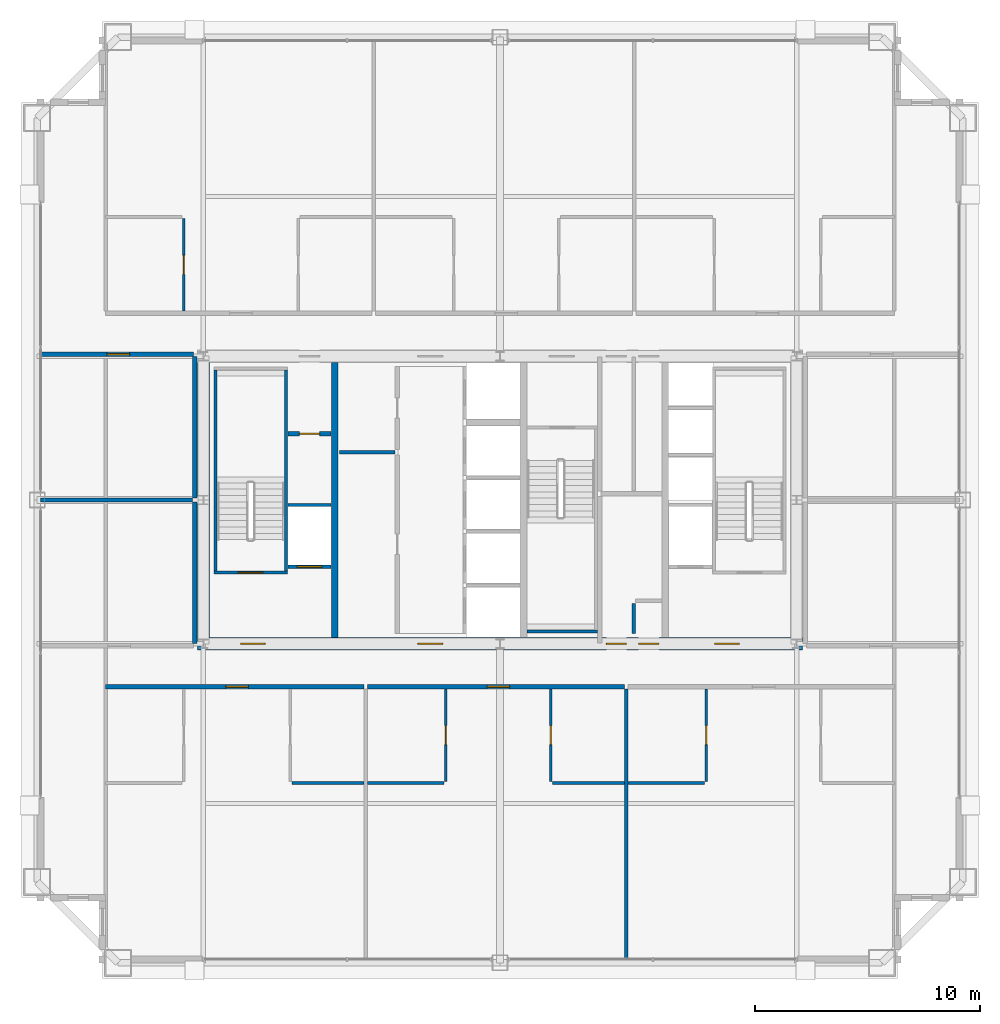
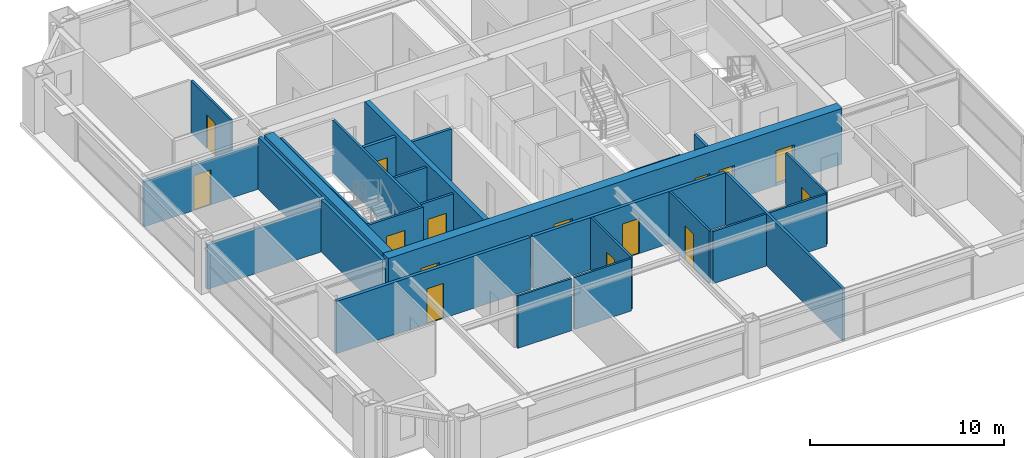
# One storey, part 32 of 36: 27 walls, 15 doors, 15 openings.
"""IFC4 building model written with IfcOpenShell, lengths in metres."""

from ifc_helpers import new_model, si_unit, direction, frame, frame_2d, origin, place, context, subcontext, project, spatial, rectangle, extrude, source, transform, mapped, material, layer, layer_set, type_object, element, fill, save


model = new_model("IFC4")

# Units and contexts
model_context = context("Model", 3, precision=1e-05, world=origin(), true_north=direction((0.0, 1.0)))
body_context = subcontext(model_context, "Body", "Model", "MODEL_VIEW")
ifc_project = project(units=[si_unit("LENGTHUNIT", "METRE"), si_unit("AREAUNIT", "SQUARE_METRE"), si_unit("VOLUMEUNIT", "CUBIC_METRE"), si_unit("PLANEANGLEUNIT", "RADIAN"), si_unit("MASSUNIT", "GRAM", prefix="KILO"), si_unit("THERMODYNAMICTEMPERATUREUNIT", "KELVIN"), si_unit("POWERUNIT", "WATT")], contexts=[model_context])

# Site, building, storey
site_placement = place(None, origin())
site = spatial("IfcSite", under=ifc_project, at=site_placement, CompositionType="ELEMENT")
building_placement = place(site_placement, origin())
building = spatial("IfcBuilding", under=site, at=building_placement, Name="Yuzanri Waterfront Tower", CompositionType="ELEMENT")
storey_placement = place(building_placement, frame((0.0, 0.0, 238.10009765625)))
storey = spatial("IfcBuildingStorey", under=building, at=storey_placement, Name="L63", CompositionType="ELEMENT", Elevation=238.10009765625)

# Wall, opening, door
ifc_material_1 = material(Name="Moisture-Resistant Gypsum Stud Wall", Category="gypsum")
ifc_layer_1 = layer(ifc_material_1, 0.1201171875)
ifc_layer_set_1 = layer_set([ifc_layer_1], Name="Moisture-Resistant Gypsum Stud Wall")
wall_type_1 = type_object("IfcWallType", Name="Bathroom and Kitchen Wet Partition 120", PredefinedType="PARTITIONING", material=ifc_layer_set_1)
wall_1_placement = place(storey_placement, frame((34.590087890625, 13.280029296875, 0.0), z_axis=(0.0, 0.0, 1.0), x_axis=(0.0, 1.0, 0.0)))
wall_1 = element("IfcWall", 1, at=wall_1_placement, inside=storey, type_object=wall_type_1, Name="L63 Partition UW-L63-RS2-SUB-1-E", PredefinedType="PARTITIONING", context=body_context, shape_type="SweptSolid", body=[
    extrude(rectangle(XDim=4.10986328125, YDim=0.1201171875, at=frame_2d((2.054931640625, 0.0))), origin(), (0.0, 0.0, 1.0), 3.27978515625),
])
opening_1_placement = place(wall_1_placement, frame((1.6298828125, 0.0, 0.0)))
opening_1 = element("IfcOpeningElement", 2, at=opening_1_placement, cuts=wall_1, Name="Opening ID-0850", PredefinedType="OPENING", context=body_context, shape_type="SweptSolid", body=[
    extrude(rectangle(XDim=0.85009765625, YDim=2.10009765625, at=frame_2d((0.425048828125, 1.050048828125))), frame((0.0, 0.074951171875, 0.0), z_axis=(0.0, -1.0, 0.0), x_axis=(1.0, 0.0, 0.0)), (0.0, 0.0, 1.0), 0.14990234375),
])
ifc_material_2 = material(Name="Moisture-Resistant Lacquered Timber", Category="wood")
door_type_1 = type_object("IfcDoorType", Name="En-Suite Bathroom and Kitchen Swing Door 850x2100", OperationType="NOTDEFINED", PredefinedType="DOOR", material=ifc_material_2)
shared_shape_1 = source(origin(), body_context, "Body", "SweptSolid", [
    extrude(rectangle(XDim=0.85009765625, YDim=2.10009765625, at=frame_2d((0.425048828125, 1.050048828125))), frame((0.0, 0.02490234375, 0.0), z_axis=(0.0, -1.0, 0.0), x_axis=(1.0, 0.0, 0.0)), (0.0, 0.0, 1.0), 0.050048828125),
])
door_1_placement = place(opening_1_placement, origin())
door_1 = element("IfcDoor", 3, at=door_1_placement, inside=storey, type_object=door_type_1, Name="L63 Suite Interior Room Door", OperationType="SINGLE_SWING_RIGHT", OverallHeight=2.10009765625, OverallWidth=0.85009765625, PredefinedType="DOOR", context=body_context, shape_type="MappedRepresentation", body=[
    mapped(shared_shape_1, transform((0.0, 0.0, 0.0), scale=1.0)),
])
fill(opening_1, door_1)

wall_2_placement = place(storey_placement, frame((39.259033203125, 13.280029296875, 0.0), z_axis=(0.0, 0.0, 1.0), x_axis=(0.0, 1.0, 0.0)))
wall_2 = element("IfcWall", 4, at=wall_2_placement, inside=storey, type_object=wall_type_1, Name="L63 Partition UW-L63-RS2-SUB-2-W", PredefinedType="PARTITIONING", context=body_context, shape_type="SweptSolid", body=[
    extrude(rectangle(XDim=4.10986328125, YDim=0.1201171875, at=frame_2d((2.054931640625, 0.0))), origin(), (0.0, 0.0, 1.0), 3.27978515625),
])
opening_2_placement = place(wall_2_placement, frame((1.6298828125, 0.0, 0.0)))
opening_2 = element("IfcOpeningElement", 5, at=opening_2_placement, cuts=wall_2, Name="Opening ID-0850", PredefinedType="OPENING", context=body_context, shape_type="SweptSolid", body=[
    extrude(rectangle(XDim=0.85009765625, YDim=2.10009765625, at=frame_2d((0.425048828125, 1.050048828125))), frame((0.0, 0.074951171875, 0.0), z_axis=(0.0, -1.0, 0.0), x_axis=(1.0, 0.0, 0.0)), (0.0, 0.0, 1.0), 0.14990234375),
])
door_2_placement = place(opening_2_placement, origin())
door_2 = element("IfcDoor", 6, at=door_2_placement, inside=storey, type_object=door_type_1, Name="L63 Suite Interior Room Door", OperationType="SINGLE_SWING_LEFT", OverallHeight=2.10009765625, OverallWidth=0.85009765625, PredefinedType="DOOR", context=body_context, shape_type="MappedRepresentation", body=[
    mapped(shared_shape_1, transform((0.0, 0.0, 0.0), scale=1.0)),
])
fill(opening_2, door_2)

wall_3_placement = place(storey_placement, frame((46.178955078125, 13.280029296875, 0.0), z_axis=(0.0, 0.0, 1.0), x_axis=(0.0, 1.0, 0.0)))
wall_3 = element("IfcWall", 7, at=wall_3_placement, inside=storey, type_object=wall_type_1, Name="L63 Partition UW-L63-RS3-SUB-1-E", PredefinedType="PARTITIONING", context=body_context, shape_type="SweptSolid", body=[
    extrude(rectangle(XDim=4.10986328125, YDim=0.1201171875, at=frame_2d((2.054931640625, 0.0))), origin(), (0.0, 0.0, 1.0), 3.27978515625),
])
opening_3_placement = place(wall_3_placement, frame((1.6298828125, 0.0, 0.0)))
opening_3 = element("IfcOpeningElement", 8, at=opening_3_placement, cuts=wall_3, Name="Opening ID-0850", PredefinedType="OPENING", context=body_context, shape_type="SweptSolid", body=[
    extrude(rectangle(XDim=0.85009765625, YDim=2.10009765625, at=frame_2d((0.425048828125, 1.050048828125))), frame((0.0, 0.074951171875, 0.0), z_axis=(0.0, -1.0, 0.0), x_axis=(1.0, 0.0, 0.0)), (0.0, 0.0, 1.0), 0.14990234375),
])
door_3_placement = place(opening_3_placement, origin())
door_3 = element("IfcDoor", 9, at=door_3_placement, inside=storey, type_object=door_type_1, Name="L63 Suite Interior Room Door", OperationType="SINGLE_SWING_LEFT", OverallHeight=2.10009765625, OverallWidth=0.85009765625, PredefinedType="DOOR", context=body_context, shape_type="MappedRepresentation", body=[
    mapped(shared_shape_1, transform((0.0, 0.0, 0.0), scale=1.0)),
])
fill(opening_3, door_3)

wall_4_placement = place(storey_placement, frame((22.919921875, 34.2099609375, 0.0), z_axis=(0.0, 0.0, 1.0), x_axis=(0.0, 1.0, 0.0)))
wall_4 = element("IfcWall", 10, at=wall_4_placement, inside=storey, type_object=wall_type_1, Name="L63 Partition UW-L63-RN1-SUB-1-E", PredefinedType="PARTITIONING", context=body_context, shape_type="SweptSolid", body=[
    extrude(rectangle(XDim=4.110107421875, YDim=0.1201171875, at=frame_2d((2.05517578125, 0.0))), origin(), (0.0, 0.0, 1.0), 3.27978515625),
])
opening_4_placement = place(wall_4_placement, frame((1.6298828125, 0.0, 0.0)))
opening_4 = element("IfcOpeningElement", 11, at=opening_4_placement, cuts=wall_4, Name="Opening ID-0850", PredefinedType="OPENING", context=body_context, shape_type="SweptSolid", body=[
    extrude(rectangle(XDim=0.85009765625, YDim=2.10009765625, at=frame_2d((0.425048828125, 1.050048828125))), frame((0.0, 0.074951171875, 0.0), z_axis=(0.0, -1.0, 0.0), x_axis=(1.0, 0.0, 0.0)), (0.0, 0.0, 1.0), 0.14990234375),
])
door_4_placement = place(opening_4_placement, origin())
door_4 = element("IfcDoor", 12, at=door_4_placement, inside=storey, type_object=door_type_1, Name="L63 Suite Interior Room Door", OperationType="SINGLE_SWING_RIGHT", OverallHeight=2.10009765625, OverallWidth=0.85009765625, PredefinedType="DOOR", context=body_context, shape_type="MappedRepresentation", body=[
    mapped(shared_shape_1, transform((0.0, 0.0, 0.0), scale=1.0)),
])
fill(opening_4, door_4)

# Wall, openings, doors
ifc_material_3 = material(Name="Concrete C50", Category="concrete")
ifc_layer_2 = layer(ifc_material_3, 0.550048828125)
ifc_layer_set_2 = layer_set([ifc_layer_2], Name="Concrete C50")
wall_type_2 = type_object("IfcWallType", Name="Concrete C50 Upper-Mid Zone Core Shear Wall 550", PredefinedType="SHEAR", material=ifc_layer_set_2)
wall_5_placement = place(storey_placement, frame((23.52490234375, 19.39990234375, 0.0), z_axis=(0.0, 0.0, 1.0), x_axis=(1.0, 0.0, 0.0)))
wall_5 = element("IfcWall", 13, at=wall_5_placement, inside=storey, type_object=wall_type_2, Name="L63 Core South Shear Wall", PredefinedType="SHEAR", context=body_context, shape_type="SweptSolid", body=[
    extrude(rectangle(XDim=26.9501953125, YDim=0.550048828125, at=frame_2d((13.47509765625, 0.0))), origin(), (0.0, 0.0, 1.0), 3.5),
])
opening_5_placement = place(wall_5_placement, frame((1.925048828125, 0.0, 0.0)))
opening_5 = element("IfcOpeningElement", 14, at=opening_5_placement, cuts=wall_5, Name="Opening FD-1100", PredefinedType="OPENING", context=body_context, shape_type="SweptSolid", body=[
    extrude(rectangle(XDim=1.10009765625, YDim=2.199951171875, at=frame_2d((0.550048828125, 1.10009765625))), frame((0.0, 0.2900390625, 0.0), z_axis=(0.0, -1.0, 0.0), x_axis=(1.0, 0.0, 0.0)), (0.0, 0.0, 1.0), 0.579833984375),
])
opening_6_placement = place(wall_5_placement, frame((9.824951171875, 0.0, 0.0)))
opening_6 = element("IfcOpeningElement", 15, at=opening_6_placement, cuts=wall_5, Name="Opening FD-1100", PredefinedType="OPENING", context=body_context, shape_type="SweptSolid", body=[
    extrude(rectangle(XDim=1.10009765625, YDim=2.199951171875, at=frame_2d((0.550048828125, 1.10009765625))), frame((0.0, 0.2900390625, 0.0), z_axis=(0.0, -1.0, 0.0), x_axis=(1.0, 0.0, 0.0)), (0.0, 0.0, 1.0), 0.579833984375),
])
opening_7_placement = place(wall_5_placement, frame((23.02490234375, 0.0, 0.0)))
opening_7 = element("IfcOpeningElement", 16, at=opening_7_placement, cuts=wall_5, Name="Opening FD-1100", PredefinedType="OPENING", context=body_context, shape_type="SweptSolid", body=[
    extrude(rectangle(XDim=1.10009765625, YDim=2.199951171875, at=frame_2d((0.550048828125, 1.10009765625))), frame((0.0, 0.2900390625, 0.0), z_axis=(0.0, -1.0, 0.0), x_axis=(1.0, 0.0, 0.0)), (0.0, 0.0, 1.0), 0.579833984375),
])
opening_8_placement = place(wall_5_placement, frame((19.64501953125, 0.0, 0.0)))
opening_8 = element("IfcOpeningElement", 17, at=opening_8_placement, cuts=wall_5, Name="Opening FD-0900", PredefinedType="OPENING", context=body_context, shape_type="SweptSolid", body=[
    extrude(rectangle(XDim=0.89990234375, YDim=2.14990234375, at=frame_2d((0.449951171875, 1.074951171875))), frame((0.0, 0.2900390625, 0.0), z_axis=(0.0, -1.0, 0.0), x_axis=(1.0, 0.0, 0.0)), (0.0, 0.0, 1.0), 0.579833984375),
])
opening_9_placement = place(wall_5_placement, frame((18.205078125, 0.0, 0.0)))
opening_9 = element("IfcOpeningElement", 18, at=opening_9_placement, cuts=wall_5, Name="Opening FD-0900", PredefinedType="OPENING", context=body_context, shape_type="SweptSolid", body=[
    extrude(rectangle(XDim=0.89990234375, YDim=2.14990234375, at=frame_2d((0.449951171875, 1.074951171875))), frame((0.0, 0.2900390625, 0.0), z_axis=(0.0, -1.0, 0.0), x_axis=(1.0, 0.0, 0.0)), (0.0, 0.0, 1.0), 0.579833984375),
])
ifc_material_4 = material(Name="Painted Galvanized Fire Steel", Category="steel")
door_type_2 = type_object("IfcDoorType", Name="Smoke-Proof Stair and Lobby Fire Door 1100x2200", OperationType="NOTDEFINED", PredefinedType="DOOR", material=ifc_material_4)
shared_shape_2 = source(origin(), body_context, "Body", "SweptSolid", [
    extrude(rectangle(XDim=1.10009765625, YDim=2.199951171875, at=frame_2d((0.550048828125, 1.10009765625))), frame((0.0, 0.02490234375, 0.0), z_axis=(0.0, -1.0, 0.0), x_axis=(1.0, 0.0, 0.0)), (0.0, 0.0, 1.0), 0.050048828125),
])
door_5_placement = place(opening_5_placement, origin())
door_5 = element("IfcDoor", 19, at=door_5_placement, inside=storey, type_object=door_type_2, Name="L63 West Firefighting Lobby Door", OperationType="SINGLE_SWING_LEFT", OverallHeight=2.199951171875, OverallWidth=1.10009765625, PredefinedType="DOOR", context=body_context, shape_type="MappedRepresentation", body=[
    mapped(shared_shape_2, transform((0.0, 0.0, 0.0), scale=1.0)),
])
fill(opening_5, door_5)
door_6_placement = place(opening_6_placement, origin())
door_6 = element("IfcDoor", 20, at=door_6_placement, inside=storey, type_object=door_type_2, Name="L63 Central Lift Lobby South Door", OperationType="SINGLE_SWING_RIGHT", OverallHeight=2.199951171875, OverallWidth=1.10009765625, PredefinedType="DOOR", context=body_context, shape_type="MappedRepresentation", body=[
    mapped(shared_shape_2, transform((0.0, 0.0, 0.0), scale=1.0)),
])
fill(opening_6, door_6)
door_7_placement = place(opening_7_placement, origin())
door_7 = element("IfcDoor", 21, at=door_7_placement, inside=storey, type_object=door_type_2, Name="L63 East Firefighting Lobby Door", OperationType="SINGLE_SWING_LEFT", OverallHeight=2.199951171875, OverallWidth=1.10009765625, PredefinedType="DOOR", context=body_context, shape_type="MappedRepresentation", body=[
    mapped(shared_shape_2, transform((0.0, 0.0, 0.0), scale=1.0)),
])
fill(opening_7, door_7)
ifc_material_5 = material(Name="Painted Galvanized Fire Steel", Category="steel")
door_type_3 = type_object("IfcDoorType", Name="Riser and Service Room Fire Door 900x2150", OperationType="NOTDEFINED", PredefinedType="DOOR", material=ifc_material_5)
shared_shape_3 = source(origin(), body_context, "Body", "SweptSolid", [
    extrude(rectangle(XDim=0.89990234375, YDim=2.14990234375, at=frame_2d((0.449951171875, 1.074951171875))), frame((0.0, 0.02490234375, 0.0), z_axis=(0.0, -1.0, 0.0), x_axis=(1.0, 0.0, 0.0)), (0.0, 0.0, 1.0), 0.050048828125),
])
door_8_placement = place(opening_8_placement, origin())
door_8 = element("IfcDoor", 22, at=door_8_placement, inside=storey, type_object=door_type_3, Name="L63 East Wet Riser Door", OperationType="SINGLE_SWING_RIGHT", OverallHeight=2.14990234375, OverallWidth=0.89990234375, PredefinedType="DOOR", context=body_context, shape_type="MappedRepresentation", body=[
    mapped(shared_shape_3, transform((0.0, 0.0, 0.0), scale=1.0)),
])
fill(opening_8, door_8)
door_9_placement = place(opening_9_placement, origin())
door_9 = element("IfcDoor", 23, at=door_9_placement, inside=storey, type_object=door_type_3, Name="L63 Cleaners Store Room", OperationType="SINGLE_SWING_LEFT", OverallHeight=2.14990234375, OverallWidth=0.89990234375, PredefinedType="DOOR", context=body_context, shape_type="MappedRepresentation", body=[
    mapped(shared_shape_3, transform((0.0, 0.0, 0.0), scale=1.0)),
])
fill(opening_9, door_9)

# Wall, opening, door
ifc_material_6 = material(Name="Concrete C40", Category="concrete")
ifc_layer_3 = layer(ifc_material_6, 0.139892578125)
ifc_layer_set_3 = layer_set([ifc_layer_3], Name="Concrete C40")
wall_type_3 = type_object("IfcWallType", Name="Core Stair Liner and Hoistway Shaft Wall 140", PredefinedType="SOLIDWALL", material=ifc_layer_set_3)
wall_6_placement = place(storey_placement, frame((27.56005859375, 22.830078125, 0.0), z_axis=(0.0, 0.0, 1.0), x_axis=(1.0, 0.0, 0.0)))
wall_6 = element("IfcWall", 24, at=wall_6_placement, inside=storey, type_object=wall_type_3, Name="L63 Lift FL-01 Front Shaft Wall", PredefinedType="SOLIDWALL", context=body_context, shape_type="SweptSolid", body=[
    extrude(rectangle(XDim=1.919921875, YDim=0.139892578125, at=frame_2d((0.9599609375, 0.0))), origin(), (0.0, 0.0, 1.0), 3.27978515625),
])
opening_10_placement = place(wall_6_placement, frame((0.409912109375, 0.0, 0.0)))
opening_10 = element("IfcOpeningElement", 25, at=opening_10_placement, cuts=wall_6, Name="Opening LD-FL-01", PredefinedType="OPENING", context=body_context, shape_type="SweptSolid", body=[
    extrude(rectangle(XDim=1.10009765625, YDim=2.199951171875, at=frame_2d((0.550048828125, 1.10009765625))), frame((0.0, 0.0849609375, 0.0), z_axis=(0.0, -1.0, 0.0), x_axis=(1.0, 0.0, 0.0)), (0.0, 0.0, 1.0), 0.169677734375),
])
ifc_material_7 = material(Name="Brushed Bronze and Stainless Steel Cab", Category="steel")
door_type_4 = type_object("IfcDoorType", Name="Center-Parting Bronze Lift Landing Sliding Door 1100x2200", OperationType="NOTDEFINED", PredefinedType="DOOR", material=ifc_material_7)
shared_shape_4 = source(origin(), body_context, "Body", "SweptSolid", [
    extrude(rectangle(XDim=1.10009765625, YDim=2.199951171875, at=frame_2d((0.550048828125, 1.10009765625))), frame((0.0, 0.02490234375, 0.0), z_axis=(0.0, -1.0, 0.0), x_axis=(1.0, 0.0, 0.0)), (0.0, 0.0, 1.0), 0.050048828125),
])
door_10_placement = place(opening_10_placement, origin())
door_10 = element("IfcDoor", 26, at=door_10_placement, inside=storey, type_object=door_type_4, Name="L63 FL-01 Lift Landing Sliding Door", OperationType="SLIDING_TO_LEFT", OverallHeight=2.199951171875, OverallWidth=1.10009765625, PredefinedType="DOOR", context=body_context, shape_type="MappedRepresentation", body=[
    mapped(shared_shape_4, transform((0.0, 0.0, 0.0), scale=1.0)),
])
fill(opening_10, door_10)

wall_7_placement = place(storey_placement, frame((24.260009765625, 22.570068359375, 0.0), z_axis=(0.0, 0.0, 1.0), x_axis=(1.0, 0.0, 0.0)))
wall_7 = element("IfcWall", 27, at=wall_7_placement, inside=storey, type_object=wall_type_3, Name="L63 Shaft Wall STW-L63-ST-01-S", PredefinedType="SOLIDWALL", context=body_context, shape_type="SweptSolid", body=[
    extrude(rectangle(XDim=3.280029296875, YDim=0.139892578125, at=frame_2d((1.64013671875, 0.0))), origin(), (0.0, 0.0, 1.0), 3.27978515625),
])
opening_11_placement = place(wall_7_placement, frame((1.090087890625, 0.0, 0.0)))
opening_11 = element("IfcOpeningElement", 28, at=opening_11_placement, cuts=wall_7, Name="Opening FD-1100", PredefinedType="OPENING", context=body_context, shape_type="SweptSolid", body=[
    extrude(rectangle(XDim=1.10009765625, YDim=2.199951171875, at=frame_2d((0.550048828125, 1.10009765625))), frame((0.0, 0.0849609375, 0.0), z_axis=(0.0, -1.0, 0.0), x_axis=(1.0, 0.0, 0.0)), (0.0, 0.0, 1.0), 0.169677734375),
])
door_11_placement = place(opening_11_placement, origin())
door_11 = element("IfcDoor", 29, at=door_11_placement, inside=storey, type_object=door_type_2, Name="L63 Stair ST-01 Fire Door", OperationType="SINGLE_SWING_RIGHT", OverallHeight=2.199951171875, OverallWidth=1.10009765625, PredefinedType="DOOR", context=body_context, shape_type="MappedRepresentation", body=[
    mapped(shared_shape_2, transform((0.0, 0.0, 0.0), scale=1.0)),
])
fill(opening_11, door_11)

ifc_material_8 = material(Name="Autoclaved Aerated Concrete Blockwork", Category="masonry")
ifc_layer_4 = layer(ifc_material_8, 0.199951171875)
ifc_layer_set_4 = layer_set([ifc_layer_4], Name="Autoclaved Aerated Concrete Blockwork")
wall_type_4 = type_object("IfcWallType", Name="Corridor and Unit Party Fire Wall 200", PredefinedType="PARTITIONING", material=ifc_layer_set_4)
wall_8_placement = place(storey_placement, frame((27.56005859375, 28.75, 0.0), z_axis=(0.0, 0.0, 1.0), x_axis=(1.0, 0.0, 0.0)))
wall_8 = element("IfcWall", 30, at=wall_8_placement, inside=storey, type_object=wall_type_4, Name="L63 Partition CRW-L63-ERTR", PredefinedType="PARTITIONING", context=body_context, shape_type="SweptSolid", body=[
    extrude(rectangle(XDim=1.919921875, YDim=0.199951171875, at=frame_2d((0.9599609375, 0.0))), origin(), (0.0, 0.0, 1.0), 3.27978515625),
])
opening_12_placement = place(wall_8_placement, frame((0.510009765625, 0.0, 0.0)))
opening_12 = element("IfcOpeningElement", 31, at=opening_12_placement, cuts=wall_8, Name="Opening FD-0900", PredefinedType="OPENING", context=body_context, shape_type="SweptSolid", body=[
    extrude(rectangle(XDim=0.89990234375, YDim=2.14990234375, at=frame_2d((0.449951171875, 1.074951171875))), frame((0.0, 0.11474609375, 0.0), z_axis=(0.0, -1.0, 0.0), x_axis=(1.0, 0.0, 0.0)), (0.0, 0.0, 1.0), 0.229736328125),
])
door_12_placement = place(opening_12_placement, origin())
door_12 = element("IfcDoor", 32, at=door_12_placement, inside=storey, type_object=door_type_3, Name="L63 Electrical Riser Door", OperationType="SINGLE_SWING_LEFT", OverallHeight=2.14990234375, OverallWidth=0.89990234375, PredefinedType="DOOR", context=body_context, shape_type="MappedRepresentation", body=[
    mapped(shared_shape_3, transform((0.0, 0.0, 0.0), scale=1.0)),
])
fill(opening_12, door_12)

wall_9_placement = place(storey_placement, frame((19.43994140625, 17.489990234375, 0.0), z_axis=(0.0, 0.0, 1.0), x_axis=(1.0, 0.0, 0.0)))
wall_9 = element("IfcWall", 33, at=wall_9_placement, inside=storey, type_object=wall_type_4, Name="L63 Partition UW-L63-RS1-CN", PredefinedType="PARTITIONING", context=body_context, shape_type="SweptSolid", body=[
    extrude(rectangle(XDim=11.510009765625, YDim=0.199951171875, at=frame_2d((5.7548828125, 0.0))), origin(), (0.0, 0.0, 1.0), 3.27978515625),
])
opening_13_placement = place(wall_9_placement, frame((5.35498046875, 0.0, 0.0)))
opening_13 = element("IfcOpeningElement", 34, at=opening_13_placement, cuts=wall_9, Name="Opening FD-1000", PredefinedType="OPENING", context=body_context, shape_type="SweptSolid", body=[
    extrude(rectangle(XDim=1.0, YDim=2.199951171875, at=frame_2d((0.5, 1.10009765625))), frame((0.0, 0.11474609375, 0.0), z_axis=(0.0, -1.0, 0.0), x_axis=(1.0, 0.0, 0.0)), (0.0, 0.0, 1.0), 0.229736328125),
])
ifc_material_9 = material(Name="Engineered Oak Fire-Rated Timber", Category="wood")
door_type_5 = type_object("IfcDoorType", Name="Guestroom and Apartment Entrance Fire Door 1000x2200", OperationType="NOTDEFINED", PredefinedType="DOOR", material=ifc_material_9)
shared_shape_5 = source(origin(), body_context, "Body", "SweptSolid", [
    extrude(rectangle(XDim=1.0, YDim=2.199951171875, at=frame_2d((0.5, 1.10009765625))), frame((0.0, 0.02490234375, 0.0), z_axis=(0.0, -1.0, 0.0), x_axis=(1.0, 0.0, 0.0)), (0.0, 0.0, 1.0), 0.050048828125),
])
door_13_placement = place(opening_13_placement, origin())
door_13 = element("IfcDoor", 35, at=door_13_placement, inside=storey, type_object=door_type_5, Name="L63 Studio Living and Sleeping Room Entrance Door", OperationType="SINGLE_SWING_RIGHT", OverallHeight=2.199951171875, OverallWidth=1.0, PredefinedType="DOOR", context=body_context, shape_type="MappedRepresentation", body=[
    mapped(shared_shape_5, transform((0.0, 0.0, 0.0), scale=1.0)),
])
fill(opening_13, door_13)

wall_10_placement = place(storey_placement, frame((31.110107421875, 17.489990234375, 0.0), z_axis=(0.0, 0.0, 1.0), x_axis=(1.0, 0.0, 0.0)))
wall_10 = element("IfcWall", 36, at=wall_10_placement, inside=storey, type_object=wall_type_4, Name="L63 Partition UW-L63-RS2-CN", PredefinedType="PARTITIONING", context=body_context, shape_type="SweptSolid", body=[
    extrude(rectangle(XDim=11.428955078125, YDim=0.199951171875, at=frame_2d((5.71435546875, 0.0))), origin(), (0.0, 0.0, 1.0), 3.27978515625),
])
opening_14_placement = place(wall_10_placement, frame((5.31396484375, 0.0, 0.0)))
opening_14 = element("IfcOpeningElement", 37, at=opening_14_placement, cuts=wall_10, Name="Opening FD-1000", PredefinedType="OPENING", context=body_context, shape_type="SweptSolid", body=[
    extrude(rectangle(XDim=1.0, YDim=2.199951171875, at=frame_2d((0.5, 1.10009765625))), frame((0.0, 0.11474609375, 0.0), z_axis=(0.0, -1.0, 0.0), x_axis=(1.0, 0.0, 0.0)), (0.0, 0.0, 1.0), 0.229736328125),
])
door_14_placement = place(opening_14_placement, origin())
door_14 = element("IfcDoor", 38, at=door_14_placement, inside=storey, type_object=door_type_5, Name="L63 Studio Living and Sleeping Room Entrance Door", OperationType="SINGLE_SWING_LEFT", OverallHeight=2.199951171875, OverallWidth=1.0, PredefinedType="DOOR", context=body_context, shape_type="MappedRepresentation", body=[
    mapped(shared_shape_5, transform((0.0, 0.0, 0.0), scale=1.0)),
])
fill(opening_14, door_14)

wall_11_placement = place(storey_placement, frame((16.550048828125, 32.2900390625, 0.0), z_axis=(0.0, 0.0, 1.0), x_axis=(1.0, 0.0, 0.0)))
wall_11 = element("IfcWall", 39, at=wall_11_placement, inside=storey, type_object=wall_type_4, Name="L63 Partition UW-L63-037-CN", PredefinedType="PARTITIONING", context=body_context, shape_type="SweptSolid", body=[
    extrude(rectangle(XDim=6.800048828125, YDim=0.199951171875, at=frame_2d((3.39990234375, 0.0))), origin(), (0.0, 0.0, 1.0), 2.824951171875),
])
opening_15_placement = place(wall_11_placement, frame((2.965087890625, 0.0, 0.0)))
opening_15 = element("IfcOpeningElement", 40, at=opening_15_placement, cuts=wall_11, Name="Opening FD-1000", PredefinedType="OPENING", context=body_context, shape_type="SweptSolid", body=[
    extrude(rectangle(XDim=1.0, YDim=2.199951171875, at=frame_2d((0.5, 1.10009765625))), frame((0.0, 0.11474609375, 0.0), z_axis=(0.0, -1.0, 0.0), x_axis=(1.0, 0.0, 0.0)), (0.0, 0.0, 1.0), 0.229736328125),
])
door_15_placement = place(opening_15_placement, origin())
door_15 = element("IfcDoor", 41, at=door_15_placement, inside=storey, type_object=door_type_5, Name="L63 Residents W Executive Office 2 Entrance Door", OperationType="SINGLE_SWING_LEFT", OverallHeight=2.199951171875, OverallWidth=1.0, PredefinedType="DOOR", context=body_context, shape_type="MappedRepresentation", body=[
    mapped(shared_shape_5, transform((0.0, 0.0, 0.0), scale=1.0)),
])
fill(opening_15, door_15)

# Walls
shared_shape_6 = source(origin(), body_context, "Body", "SweptSolid", [
    extrude(rectangle(XDim=12.25, YDim=0.550048828125, at=frame_2d((6.125, 0.0))), origin(), (0.0, 0.0, 1.0), 3.5),
])
wall_12_placement = place(storey_placement, frame((23.800048828125, 19.675048828125, 0.0), z_axis=(0.0, 0.0, 1.0), x_axis=(0.0, 1.0, 0.0)))
element("IfcWall", 42, at=wall_12_placement, inside=storey, type_object=wall_type_2, Name="L63 Core West Shear Wall", PredefinedType="SHEAR", context=body_context, shape_type="MappedRepresentation", body=[
    mapped(shared_shape_6, transform((0.0, 0.0, 0.0), scale=1.0)),
])
ifc_material_10 = material(Name="Concrete C50", Category="concrete")
ifc_layer_5 = layer(ifc_material_10, 0.300048828125)
ifc_layer_set_5 = layer_set([ifc_layer_5], Name="Concrete C50")
wall_type_5 = type_object("IfcWallType", Name="Concrete C50 Internal Core Shaft Structural Wall 300", PredefinedType="SOLIDWALL", material=ifc_layer_set_5)
shared_shape_7 = source(origin(), body_context, "Body", "SweptSolid", [
    extrude(rectangle(XDim=12.25, YDim=0.300048828125, at=frame_2d((6.125, 0.0))), origin(), (0.0, 0.0, 1.0), 3.5),
])
wall_13_placement = place(storey_placement, frame((29.64990234375, 19.675048828125, 0.0), z_axis=(0.0, 0.0, 1.0), x_axis=(0.0, 1.0, 0.0)))
element("IfcWall", 43, at=wall_13_placement, inside=storey, type_object=wall_type_5, Name="L63 Core Internal Structural Web Wall 1", PredefinedType="SOLIDWALL", context=body_context, shape_type="MappedRepresentation", body=[
    mapped(shared_shape_7, transform((0.0, 0.0, 0.0), scale=1.0)),
])
shared_shape_8 = source(origin(), body_context, "Body", "SweptSolid", [
    extrude(rectangle(XDim=1.919921875, YDim=0.139892578125, at=frame_2d((0.9599609375, 0.0))), origin(), (0.0, 0.0, 1.0), 3.27978515625),
])
wall_14_placement = place(storey_placement, frame((27.56005859375, 25.570068359375, 0.0), z_axis=(0.0, 0.0, 1.0), x_axis=(1.0, 0.0, 0.0)))
element("IfcWall", 44, at=wall_14_placement, inside=storey, type_object=wall_type_3, Name="L63 Lift FL-01 Back Shaft Wall", PredefinedType="SOLIDWALL", context=body_context, shape_type="MappedRepresentation", body=[
    mapped(shared_shape_8, transform((0.0, 0.0, 0.0), scale=1.0)),
])
shared_shape_9 = source(origin(), body_context, "Body", "SweptSolid", [
    extrude(rectangle(XDim=8.940185546875, YDim=0.139892578125, at=frame_2d((4.47021484375, 0.0))), origin(), (0.0, 0.0, 1.0), 3.27978515625),
])
for number, where, z_axis, x_axis, name in (
    (45, (24.330078125, 22.639892578125, 0.0), (0.0, 0.0, 1.0), (0.0, 1.0, 0.0), "L63 Stair ST-01 West Shaft Wall"),
    (46, (27.469970703125, 22.639892578125, 0.0), (0.0, 0.0, 1.0), (0.0, 1.0, 0.0), "L63 Stair ST-01 East Shaft Wall"),
):
    element("IfcWall", number, at=place(storey_placement, frame(where, z_axis=z_axis, x_axis=x_axis)), inside=storey, type_object=wall_type_3, Name=name, PredefinedType="SOLIDWALL", context=body_context, shape_type="MappedRepresentation", body=[
        mapped(shared_shape_9, transform((0.0, 0.0, 0.0), scale=1.0)),
    ])
shared_shape_10 = source(origin(), body_context, "Body", "SweptSolid", [
    extrude(rectangle(XDim=3.14013671875, YDim=0.139892578125, at=frame_2d((1.570068359375, 0.0))), origin(), (0.0, 0.0, 1.0), 3.27978515625),
])
wall_15_placement = place(storey_placement, frame((38.199951171875, 19.949951171875, 0.0), z_axis=(0.0, 0.0, 1.0), x_axis=(1.0, 0.0, 0.0)))
element("IfcWall", 47, at=wall_15_placement, inside=storey, type_object=wall_type_3, Name="L63 Stair ST-03 South Shaft Wall", PredefinedType="SOLIDWALL", context=body_context, shape_type="MappedRepresentation", body=[
    mapped(shared_shape_10, transform((0.0, 0.0, 0.0), scale=1.0)),
])
ifc_material_11 = material(Name="Gypsum Fireboard Acoustic Stud Wall", Category="gypsum")
ifc_layer_6 = layer(ifc_material_11, 0.159912109375)
ifc_layer_set_6 = layer_set([ifc_layer_6], Name="Gypsum Fireboard Acoustic Stud Wall")
wall_type_6 = type_object("IfcWallType", Name="Acoustic Suite Demising Partition 160", PredefinedType="PARTITIONING", material=ifc_layer_set_6)
shared_shape_11 = source(origin(), body_context, "Body", "SweptSolid", [
    extrude(rectangle(XDim=2.469970703125, YDim=0.159912109375, at=frame_2d((1.23486328125, 0.0))), origin(), (0.0, 0.0, 1.0), 3.27978515625),
])
wall_16_placement = place(storey_placement, frame((29.85009765625, 27.929931640625, 0.0), z_axis=(0.0, 0.0, 1.0), x_axis=(1.0, 0.0, 0.0)))
element("IfcWall", 48, at=wall_16_placement, inside=storey, type_object=wall_type_6, Name="L63 Reclaimed Core Divider 2", PredefinedType="PARTITIONING", context=body_context, shape_type="MappedRepresentation", body=[
    mapped(shared_shape_11, transform((0.0, 0.0, 0.0), scale=1.0)),
])
shared_shape_12 = source(origin(), body_context, "Body", "SweptSolid", [
    extrude(rectangle(XDim=1.33984375, YDim=0.159912109375, at=frame_2d((0.669921875, 0.0))), origin(), (0.0, 0.0, 1.0), 3.27978515625),
])
wall_17_placement = place(storey_placement, frame((42.949951171875, 19.860107421875, 0.0), z_axis=(0.0, 0.0, 1.0), x_axis=(0.0, 1.0, 0.0)))
element("IfcWall", 49, at=wall_17_placement, inside=storey, type_object=wall_type_6, Name="L63 East Wet Riser West Wall", PredefinedType="PARTITIONING", context=body_context, shape_type="MappedRepresentation", body=[
    mapped(shared_shape_12, transform((0.0, 0.0, 0.0), scale=1.0)),
])
shared_shape_13 = source(origin(), body_context, "Body", "SweptSolid", [
    extrude(rectangle(XDim=12.039794921875, YDim=0.159912109375, at=frame_2d((6.02001953125, 0.0))), origin(), (0.0, 0.0, 1.0), 3.27978515625),
])
wall_18_placement = place(storey_placement, frame((42.618896484375, 5.35009765625, 0.0), z_axis=(0.0, 0.0, 1.0), x_axis=(0.0, 1.0, 0.0)))
element("IfcWall", 50, at=wall_18_placement, inside=storey, type_object=wall_type_6, Name="L63-RS2 Party Wall", PredefinedType="PARTITIONING", context=body_context, shape_type="MappedRepresentation", body=[
    mapped(shared_shape_13, transform((0.0, 0.0, 0.0), scale=1.0)),
])
shared_shape_14 = source(origin(), body_context, "Body", "SweptSolid", [
    extrude(rectangle(XDim=3.400146484375, YDim=0.1201171875, at=frame_2d((1.7001953125, 0.0))), origin(), (0.0, 0.0, 1.0), 3.27978515625),
])
wall_19_placement = place(storey_placement, frame((42.698974609375, 13.199951171875, 0.0), z_axis=(0.0, 0.0, 1.0), x_axis=(1.0, 0.0, 0.0)))
element("IfcWall", 51, at=wall_19_placement, inside=storey, type_object=wall_type_1, Name="L63 Partition UW-L63-RS3-SUB-1-S", PredefinedType="PARTITIONING", context=body_context, shape_type="MappedRepresentation", body=[
    mapped(shared_shape_14, transform((0.0, 0.0, 0.0), scale=1.0)),
])
shared_shape_15 = source(origin(), body_context, "Body", "SweptSolid", [
    extrude(rectangle(XDim=3.199951171875, YDim=0.1201171875, at=frame_2d((1.60009765625, 0.0))), origin(), (0.0, 0.0, 1.0), 3.27978515625),
])
for number, where, z_axis, x_axis, name in (
    (52, (27.75, 13.199951171875, 0.0), (0.0, 0.0, 1.0), (1.0, 0.0, 0.0), "L63 Partition UW-L63-RS1-SUB-2-S"),
    (53, (39.339111328125, 13.199951171875, 0.0), (0.0, 0.0, 1.0), (1.0, 0.0, 0.0), "L63 Partition UW-L63-RS2-SUB-2-S"),
):
    element("IfcWall", number, at=place(storey_placement, frame(where, z_axis=z_axis, x_axis=x_axis)), inside=storey, type_object=wall_type_1, Name=name, PredefinedType="PARTITIONING", context=body_context, shape_type="MappedRepresentation", body=[
        mapped(shared_shape_15, transform((0.0, 0.0, 0.0), scale=1.0)),
    ])
shared_shape_16 = source(origin(), body_context, "Body", "SweptSolid", [
    extrude(rectangle(XDim=3.39990234375, YDim=0.1201171875, at=frame_2d((1.699951171875, 0.0))), origin(), (0.0, 0.0, 1.0), 3.27978515625),
])
wall_20_placement = place(storey_placement, frame((31.110107421875, 13.199951171875, 0.0), z_axis=(0.0, 0.0, 1.0), x_axis=(1.0, 0.0, 0.0)))
element("IfcWall", 54, at=wall_20_placement, inside=storey, type_object=wall_type_1, Name="L63 Partition UW-L63-RS2-SUB-1-S", PredefinedType="PARTITIONING", context=body_context, shape_type="MappedRepresentation", body=[
    mapped(shared_shape_16, transform((0.0, 0.0, 0.0), scale=1.0)),
])
shared_shape_17 = source(origin(), body_context, "Body", "SweptSolid", [
    extrude(rectangle(XDim=6.764892578125, YDim=0.199951171875, at=frame_2d((3.38232421875, 0.0))), origin(), (0.0, 0.0, 1.0), 2.786865234375),
])
wall_21_placement = place(storey_placement, frame((16.550048828125, 25.800048828125, 0.0), z_axis=(0.0, 0.0, 1.0), x_axis=(1.0, 0.0, 0.0)))
element("IfcWall", 55, at=wall_21_placement, inside=storey, type_object=wall_type_4, Name="L63-036 Wing North Wall", PredefinedType="PARTITIONING", context=body_context, shape_type="MappedRepresentation", body=[
    mapped(shared_shape_17, transform((0.0, 0.0, 0.0), scale=1.0)),
])
shared_shape_18 = source(origin(), body_context, "Body", "SweptSolid", [
    extrude(rectangle(XDim=6.2900390625, YDim=0.199951171875, at=frame_2d((3.14501953125, 0.0))), origin(), (0.0, 0.0, 1.0), 3.27978515625),
])
for number, where, z_axis, x_axis, name in (
    (56, (23.419921875, 19.409912109375, 0.0), (0.0, 0.0, 1.0), (0.0, 1.0, 0.0), "L63-036 Wing Inner Core-Side Wall"),
    (57, (23.419921875, 25.89990234375, 0.0), (0.0, 0.0, 1.0), (0.0, 1.0, 0.0), "L63-037 Wing Inner Core-Side Wall"),
):
    element("IfcWall", number, at=place(storey_placement, frame(where, z_axis=z_axis, x_axis=x_axis)), inside=storey, type_object=wall_type_4, Name=name, PredefinedType="PARTITIONING", context=body_context, shape_type="MappedRepresentation", body=[
        mapped(shared_shape_18, transform((0.0, 0.0, 0.0), scale=1.0)),
    ])

save(model, "model.ifc")
